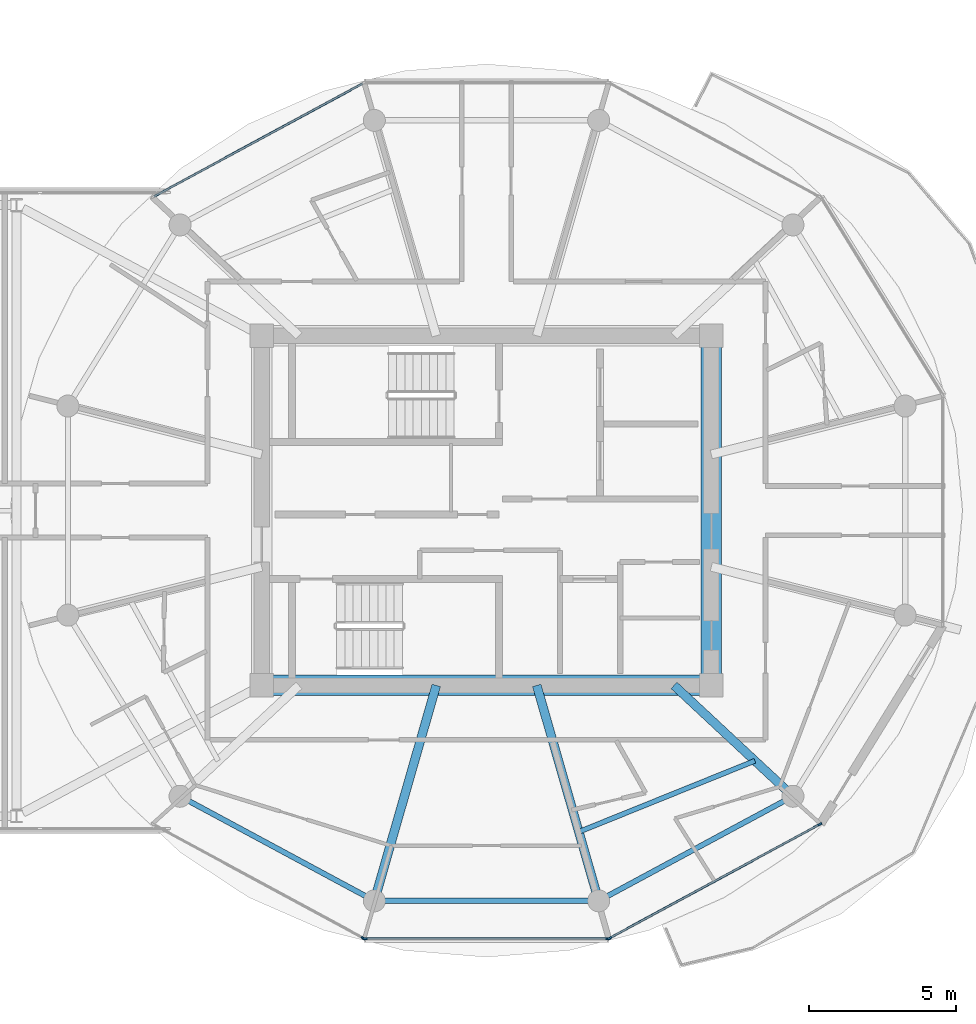
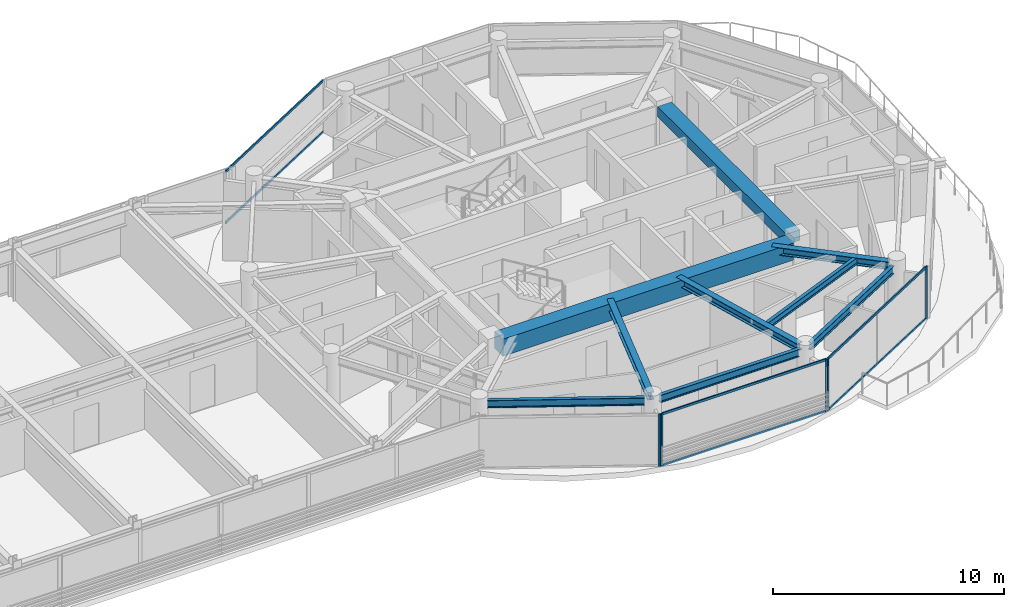
# One storey, part 9 of 23: 11 members, 9 beams, 4 elements without a shape of their own.
"""IFC4 building model written with IfcOpenShell, lengths in metres."""

from ifc_helpers import new_model, si_unit, direction, frame, origin, origin_2d, place, context, subcontext, project, spatial, rectangle, i_section, extrude, source, transform, mapped, material, layer, layer_set, material_profile, profile_set, type_object, type_shapes, element, aggregate, save


model = new_model("IFC4")

# Units and contexts
model_context = context("Model", 3, precision=1e-05, world=origin(), true_north=direction((0.0, 1.0)))
body_context = subcontext(model_context, "Body", "Model", "MODEL_VIEW")
ifc_project = project(units=[si_unit("LENGTHUNIT", "METRE"), si_unit("AREAUNIT", "SQUARE_METRE"), si_unit("VOLUMEUNIT", "CUBIC_METRE"), si_unit("PLANEANGLEUNIT", "RADIAN"), si_unit("MASSUNIT", "GRAM", prefix="KILO")], contexts=[model_context])

# Site, building, storey
site_placement = place(None, origin())
site = spatial("IfcSite", under=ifc_project, at=site_placement, CompositionType="ELEMENT")
building_placement = place(site_placement, origin())
building = spatial("IfcBuilding", under=site, at=building_placement, Name="Norrkilde Senior Care Towers", CompositionType="ELEMENT")
storey_placement = place(building_placement, frame((0.0, 0.0, 207.800048828125)))
storey = spatial("IfcBuildingStorey", under=building, at=storey_placement, Name="L64", CompositionType="ELEMENT", Elevation=207.800048828125)

# Beams
ifc_material_1 = material(Name="Concrete C60/75", Category="concrete")
ifc_material_profile_1 = material_profile(ifc_material_1, rectangle(XDim=0.699951171875, YDim=0.89990234375, at=origin_2d()), Name="RC BM 700x900")
ifc_profile_set_1 = profile_set([ifc_material_profile_1], Name="Concrete C60/75")
beam_type_1 = type_object("IfcBeamType", Name="Core Coupling Girder 700x900", PredefinedType="USERDEFINED", material=ifc_profile_set_1)
shared_shape_1 = source(origin(), body_context, "Body", "SweptSolid", [
    extrude(rectangle(XDim=0.699951171875, YDim=0.89990234375, at=origin_2d()), origin(), (0.0, 0.0, 1.0), 14.5400390625),
])
type_shapes(beam_type_1, [shared_shape_1])
beam_1_placement = place(storey_placement, frame((20.72998046875, -5.949951171875, 2.31005859375), z_axis=(1.0, 0.0, 0.0), x_axis=(0.0, 1.0, 0.0)))
element("IfcBeam", 1, at=beam_1_placement, inside=storey, type_object=beam_type_1, Name="L64 Core E S Coupling Girder", ObjectType="GIRDER", PredefinedType="USERDEFINED", context=body_context, shape_type="MappedRepresentation", body=[
    mapped(shared_shape_1, transform((0.0, 0.0, 0.0), x_axis=(1.0, 0.0, 0.0), y_axis=(0.0, 1.0, 0.0), z_axis=(0.0, 0.0, 1.0), scale=1.0)),
])
ifc_material_profile_2 = material_profile(ifc_material_1, rectangle(XDim=0.699951171875, YDim=0.550048828125, at=origin_2d()), Name="RC BM 700x550")
ifc_profile_set_2 = profile_set([ifc_material_profile_2], Name="Concrete C60/75")
beam_type_2 = type_object("IfcBeamType", Name="Core Portal Coupling Beam 700x550", PredefinedType="USERDEFINED", material=ifc_profile_set_2)
shared_shape_2 = source(origin(), body_context, "Body", "SweptSolid", [
    extrude(rectangle(XDim=0.699951171875, YDim=0.550048828125, at=origin_2d()), origin(), (0.0, 0.0, 1.0), 11.14013671875),
])
type_shapes(beam_type_2, [shared_shape_2])
beam_2_placement = place(storey_placement, frame((35.64990234375, -5.570068359375, 2.48486328125), z_axis=(0.0, 1.0, 0.0), x_axis=(-1.0, 0.0, 0.0)))
element("IfcBeam", 2, at=beam_2_placement, inside=storey, type_object=beam_type_2, Name="L64 Core E E Coupling Girder", ObjectType="GIRDER", PredefinedType="USERDEFINED", context=body_context, shape_type="MappedRepresentation", body=[
    mapped(shared_shape_2, transform((0.0, 0.0, 0.0), x_axis=(1.0, 0.0, 0.0), y_axis=(0.0, 1.0, 0.0), z_axis=(0.0, 0.0, 1.0), scale=1.0)),
])
ifc_material_2 = material(Name="Steel S355", Category="steel")
ifc_material_profile_3 = material_profile(ifc_material_2, i_section(OverallWidth=0.179931640625, OverallDepth=0.39990234375, WebThickness=0.008544921875, FlangeThickness=0.013427734375, FilletRadius=0.02099609375, at=origin_2d()), Name="IPE 400")
ifc_profile_set_3 = profile_set([ifc_material_profile_3], Name="Steel S355")
beam_type_3 = type_object("IfcBeamType", Name="Perimeter Ring Spandrel Z4 IPE400", PredefinedType="SPANDREL", material=ifc_profile_set_3)
shared_shape_3 = source(origin(), body_context, "Body", "SweptSolid", [
    extrude(i_section(OverallWidth=0.179931640625, OverallDepth=0.39990234375, WebThickness=0.008544921875, FlangeThickness=0.013427734375, FilletRadius=0.02099609375, at=origin_2d()), origin(), (0.0, 0.0, 1.0), 6.839111328125),
])
for number, where, z_axis, x_axis, name in (
    (3, (17.865234375, -9.881591796875, 2.56005859375), (0.880563930732, -0.473927382511, 0.0), (0.473927382511, 0.880563930732, 0.0), "L64 Drum E Perimeter Spandrel 08"),
    (4, (32.112548828125, -13.122802734375, 2.56005859375), (0.880563930732, 0.473927382511, 0.0), (-0.473927382511, 0.880563930732, 0.0), "L64 Drum E Perimeter Spandrel 10"),
):
    element("IfcBeam", number, at=place(storey_placement, frame(where, z_axis=z_axis, x_axis=x_axis)), inside=storey, type_object=beam_type_3, Name=name, PredefinedType="SPANDREL", context=body_context, shape_type="MappedRepresentation", body=[
        mapped(shared_shape_3, transform((0.0, 0.0, 0.0), x_axis=(1.0, 0.0, 0.0), y_axis=(0.0, 1.0, 0.0), z_axis=(0.0, 0.0, 1.0), scale=1.0)),
    ])
ifc_material_profile_4 = material_profile(ifc_material_2, i_section(OverallWidth=0.300048828125, OverallDepth=0.39990234375, WebThickness=0.013427734375, FlangeThickness=0.02392578125, FilletRadius=0.027099609375, at=origin_2d()), Name="HEB 400")
ifc_profile_set_4 = profile_set([ifc_material_profile_4], Name="Steel S355")
beam_type_4 = type_object("IfcBeamType", Name="Radial Floor Beam Z4 HEB400", PredefinedType="BEAM", material=ifc_profile_set_4)
shared_shape_4 = source(origin(), body_context, "Body", "SweptSolid", [
    extrude(i_section(OverallWidth=0.300048828125, OverallDepth=0.39990234375, WebThickness=0.013427734375, FlangeThickness=0.02392578125, FilletRadius=0.027099609375, at=origin_2d()), origin(), (0.0, 0.0, 1.0), 5.197998046875),
])
beam_3_placement = place(storey_placement, frame((34.3828125, -5.949951171875, 2.56005859375), z_axis=(0.731448749334, -0.681896419625, 0.0), x_axis=(0.681896419625, 0.731448749334, 0.0)))
element("IfcBeam", 5, at=beam_3_placement, inside=storey, type_object=beam_type_4, Name="L64 Drum E Radial Floor Beam 11", PredefinedType="BEAM", context=body_context, shape_type="MappedRepresentation", body=[
    mapped(shared_shape_4, transform((0.0, 0.0, 0.0), x_axis=(1.0, 0.0, 0.0), y_axis=(0.0, 1.0, 0.0), z_axis=(0.0, 0.0, 1.0), scale=1.0)),
])
shared_shape_5 = source(origin(), body_context, "Body", "SweptSolid", [
    extrude(i_section(OverallWidth=0.179931640625, OverallDepth=0.39990234375, WebThickness=0.008544921875, FlangeThickness=0.013427734375, FilletRadius=0.02099609375, at=origin_2d()), origin(), (0.0, 0.0, 1.0), 6.96533203125),
])
type_shapes(beam_type_3, [shared_shape_3, shared_shape_5])
beam_4_placement = place(storey_placement, frame((24.517333984375, -13.281494140625, 2.56005859375), z_axis=(1.0, 0.0, 0.0), x_axis=(0.0, 1.0, 0.0)))
element("IfcBeam", 6, at=beam_4_placement, inside=storey, type_object=beam_type_3, Name="L64 Drum E Perimeter Spandrel 09", PredefinedType="SPANDREL", context=body_context, shape_type="MappedRepresentation", body=[
    mapped(shared_shape_5, transform((0.0, 0.0, 0.0), x_axis=(1.0, 0.0, 0.0), y_axis=(0.0, 1.0, 0.0), z_axis=(0.0, 0.0, 1.0), scale=1.0)),
])
shared_shape_6 = source(origin(), body_context, "Body", "SweptSolid", [
    extrude(i_section(OverallWidth=0.300048828125, OverallDepth=0.39990234375, WebThickness=0.013427734375, FlangeThickness=0.02392578125, FilletRadius=0.027099609375, at=origin_2d()), origin(), (0.0, 0.0, 1.0), 7.29345703125),
])
type_shapes(beam_type_4, [shared_shape_4, shared_shape_6])
for number, where, z_axis, x_axis, name in (
    (7, (26.289794921875, -5.949951171875, 2.56005859375), (-0.276263751906, -0.961081858836, 0.0), (0.961081858836, -0.276263751906, 0.0), "L64 Drum E Radial Floor Beam 09"),
    (8, (29.710205078125, -5.949951171875, 2.56005859375), (0.276263751906, -0.961081858836, 0.0), (0.961081858836, 0.276263751906, 0.0), "L64 Drum E Radial Floor Beam 10"),
):
    element("IfcBeam", number, at=place(storey_placement, frame(where, z_axis=z_axis, x_axis=x_axis)), inside=storey, type_object=beam_type_4, Name=name, PredefinedType="BEAM", context=body_context, shape_type="MappedRepresentation", body=[
        mapped(shared_shape_6, transform((0.0, 0.0, 0.0), x_axis=(1.0, 0.0, 0.0), y_axis=(0.0, 1.0, 0.0), z_axis=(0.0, 0.0, 1.0), scale=1.0)),
    ])
ifc_material_profile_5 = material_profile(ifc_material_2, i_section(OverallWidth=0.169921875, OverallDepth=0.360107421875, WebThickness=0.008056640625, FlangeThickness=0.0126953125, FilletRadius=0.01806640625, at=origin_2d()), Name="IPE 360")
ifc_profile_set_5 = profile_set([ifc_material_profile_5], Name="Steel S355")
beam_type_5 = type_object("IfcBeamType", Name="Secondary Floor Joist IPE360", PredefinedType="JOIST", material=ifc_profile_set_5)
shared_shape_7 = source(origin(), body_context, "Body", "SweptSolid", [
    extrude(i_section(OverallWidth=0.169921875, OverallDepth=0.360107421875, WebThickness=0.008056640625, FlangeThickness=0.0126953125, FilletRadius=0.01806640625, at=origin_2d()), origin(), (0.0, 0.0, 1.0), 6.461669921875),
])
type_shapes(beam_type_5, [shared_shape_7])
beam_5_placement = place(storey_placement, frame((31.143310546875, -10.935302734375, 2.579833984375), z_axis=(0.927225942298, 0.374502405772, 0.0), x_axis=(-0.374502405772, 0.927225942298, 0.0)))
element("IfcBeam", 9, at=beam_5_placement, inside=storey, type_object=beam_type_5, Name="L64 Drum E Secondary Floor Joist 4", PredefinedType="JOIST", context=body_context, shape_type="MappedRepresentation", body=[
    mapped(shared_shape_7, transform((0.0, 0.0, 0.0), x_axis=(1.0, 0.0, 0.0), y_axis=(0.0, 1.0, 0.0), z_axis=(0.0, 0.0, 1.0), scale=1.0)),
])

# Curtain wall, members
ifc_material_3 = material(Name="Triple Low-E Insulated Glazing", Category="glass")
ifc_layer = layer(ifc_material_3, 0.18505859375)
ifc_layer_set = layer_set([ifc_layer], Name="Triple Low-E Insulated Glazing")
curtain_wall_type = type_object("IfcCurtainWallType", Name="CW6 Zone 4 Crown Pavilion Curtain Wall", PredefinedType="NOTDEFINED", material=ifc_layer_set)
curtain_wall_1_placement = place(storey_placement, origin())
curtain_wall_1 = element("IfcCurtainWall", 10, at=curtain_wall_1_placement, inside=storey, type_object=curtain_wall_type, Name="L64 Drum E Curtain Wall 08", PredefinedType="NOTDEFINED")
ifc_material_4 = material(Name="Anodised Aluminium", Category="aluminium")
ifc_material_profile_6 = material_profile(ifc_material_4, rectangle(XDim=0.06005859375, YDim=0.1201171875, at=origin_2d()), Name="ALU TRAN 60x120")
ifc_profile_set_6 = profile_set([ifc_material_profile_6], Name="Anodised Aluminium")
member_type_1 = type_object("IfcMemberType", Name="Curtain Wall Transom Typical 60x120", PredefinedType="USERDEFINED", material=ifc_profile_set_6)
shared_shape_8 = source(origin(), body_context, "Body", "SweptSolid", [
    extrude(rectangle(XDim=0.06005859375, YDim=0.1201171875, at=origin_2d()), origin(), (0.0, 0.0, 1.0), 8.19384765625),
])
member_1_placement = place(storey_placement, frame((32.096923828125, -14.566162109375, 0.030029296875), z_axis=(-1.0, 0.0, 0.0), x_axis=(0.0, -1.0, 0.0)))
member_1 = element("IfcMember", 11, at=member_1_placement, type_object=member_type_1, Name="CW-6 transom 1.1", ObjectType="TRANSOM", PredefinedType="USERDEFINED", context=body_context, shape_type="MappedRepresentation", body=[
    mapped(shared_shape_8, transform((0.0, 0.0, 0.0), x_axis=(1.0, 0.0, 0.0), y_axis=(0.0, 1.0, 0.0), z_axis=(0.0, 0.0, 1.0), scale=1.0)),
])
member_2_placement = place(storey_placement, frame((32.096923828125, -14.566162109375, 2.72998046875), z_axis=(-1.0, 0.0, 0.0), x_axis=(0.0, -1.0, 0.0)))
member_2 = element("IfcMember", 12, at=member_2_placement, type_object=member_type_1, Name="CW-6 transom 1.2", ObjectType="TRANSOM", PredefinedType="USERDEFINED", context=body_context, shape_type="MappedRepresentation", body=[
    mapped(shared_shape_8, transform((0.0, 0.0, 0.0), x_axis=(1.0, 0.0, 0.0), y_axis=(0.0, 1.0, 0.0), z_axis=(0.0, 0.0, 1.0), scale=1.0)),
])

curtain_wall_2_placement = place(storey_placement, origin())
curtain_wall_2 = element("IfcCurtainWall", 13, at=curtain_wall_2_placement, inside=storey, type_object=curtain_wall_type, Name="L64 Drum E Curtain Wall 03", PredefinedType="NOTDEFINED")
shared_shape_9 = source(origin(), body_context, "Body", "SweptSolid", [
    extrude(rectangle(XDim=0.06005859375, YDim=0.1201171875, at=origin_2d()), origin(), (0.0, 0.0, 1.0), 8.0673828125),
])
type_shapes(member_type_1, [shared_shape_8, shared_shape_9])
member_3_placement = place(storey_placement, frame((16.686767578125, 10.694091796875, 0.030029296875), z_axis=(0.87937750072, 0.476125205411, 0.0), x_axis=(-0.476125205411, 0.87937750072, 0.0)))
member_3 = element("IfcMember", 14, at=member_3_placement, type_object=member_type_1, Name="CW-6 transom 1.1", ObjectType="TRANSOM", PredefinedType="USERDEFINED", context=body_context, shape_type="MappedRepresentation", body=[
    mapped(shared_shape_9, transform((0.0, 0.0, 0.0), x_axis=(1.0, 0.0, 0.0), y_axis=(0.0, 1.0, 0.0), z_axis=(0.0, 0.0, 1.0), scale=1.0)),
])
member_4_placement = place(storey_placement, frame((16.686767578125, 10.694091796875, 2.72998046875), z_axis=(0.87937750072, 0.476125205411, 0.0), x_axis=(-0.476125205411, 0.87937750072, 0.0)))
member_4 = element("IfcMember", 15, at=member_4_placement, type_object=member_type_1, Name="CW-6 transom 1.2", ObjectType="TRANSOM", PredefinedType="USERDEFINED", context=body_context, shape_type="MappedRepresentation", body=[
    mapped(shared_shape_9, transform((0.0, 0.0, 0.0), x_axis=(1.0, 0.0, 0.0), y_axis=(0.0, 1.0, 0.0), z_axis=(0.0, 0.0, 1.0), scale=1.0)),
])
aggregate(curtain_wall_2, [member_3, member_4])

curtain_wall_3_placement = place(storey_placement, origin())
curtain_wall_3 = element("IfcCurtainWall", 16, at=curtain_wall_3_placement, inside=storey, type_object=curtain_wall_type, Name="L64 Drum E Curtain Wall 09", PredefinedType="NOTDEFINED")
member_5_placement = place(storey_placement, frame((39.313232421875, -10.694091796875, 0.030029296875), z_axis=(-0.87937750072, -0.476125205411, 0.0), x_axis=(0.476125205411, -0.87937750072, 0.0)))
member_5 = element("IfcMember", 17, at=member_5_placement, type_object=member_type_1, Name="CW-6 transom 1.1", ObjectType="TRANSOM", PredefinedType="USERDEFINED", context=body_context, shape_type="MappedRepresentation", body=[
    mapped(shared_shape_9, transform((0.0, 0.0, 0.0), x_axis=(1.0, 0.0, 0.0), y_axis=(0.0, 1.0, 0.0), z_axis=(0.0, 0.0, 1.0), scale=1.0)),
])
member_6_placement = place(storey_placement, frame((39.313232421875, -10.694091796875, 2.72998046875), z_axis=(-0.87937750072, -0.476125205411, 0.0), x_axis=(0.476125205411, -0.87937750072, 0.0)))
member_6 = element("IfcMember", 18, at=member_6_placement, type_object=member_type_1, Name="CW-6 transom 1.2", ObjectType="TRANSOM", PredefinedType="USERDEFINED", context=body_context, shape_type="MappedRepresentation", body=[
    mapped(shared_shape_9, transform((0.0, 0.0, 0.0), x_axis=(1.0, 0.0, 0.0), y_axis=(0.0, 1.0, 0.0), z_axis=(0.0, 0.0, 1.0), scale=1.0)),
])

# Curtain wall, member
curtain_wall_4_placement = place(storey_placement, origin())
curtain_wall_4 = element("IfcCurtainWall", 19, at=curtain_wall_4_placement, inside=storey, type_object=curtain_wall_type, Name="L64 Drum E Curtain Wall 07", PredefinedType="NOTDEFINED")
ifc_material_profile_7 = material_profile(ifc_material_4, rectangle(XDim=0.06494140625, YDim=0.14990234375, at=origin_2d()), Name="ALU MULL 65x150")
ifc_profile_set_7 = profile_set([ifc_material_profile_7], Name="Anodised Aluminium")
member_type_2 = type_object("IfcMemberType", Name="Curtain Wall Mullion Z3-Z4 65x150", PredefinedType="MULLION", material=ifc_profile_set_7)
shared_shape_10 = source(origin(), body_context, "Body", "SweptSolid", [
    extrude(rectangle(XDim=0.06494140625, YDim=0.14990234375, at=origin_2d()), origin(), (0.0, 0.0, 1.0), 2.760009765625),
])
type_shapes(member_type_2, [shared_shape_10])
member_7_placement = place(storey_placement, frame((23.8095703125, -14.55078125, 0.0), z_axis=(0.0, 0.0, 1.0), x_axis=(-0.476132676136, -0.879373455772, 0.0)))
member_7 = element("IfcMember", 20, at=member_7_placement, type_object=member_type_2, Name="CW-6 mullion 1", PredefinedType="MULLION", context=body_context, shape_type="MappedRepresentation", body=[
    mapped(shared_shape_10, transform((0.0, 0.0, 0.0), x_axis=(1.0, 0.0, 0.0), y_axis=(0.0, 1.0, 0.0), z_axis=(0.0, 0.0, 1.0), scale=1.0)),
])
aggregate(curtain_wall_4, [member_7])

# Member
member_8_placement = place(storey_placement, frame((32.12939453125, -14.566162109375, 0.0), z_axis=(0.0, 0.0, 1.0), x_axis=(0.0, -1.0, 0.0)))
member_8 = element("IfcMember", 21, at=member_8_placement, type_object=member_type_2, Name="CW-6 mullion 1", PredefinedType="MULLION", context=body_context, shape_type="MappedRepresentation", body=[
    mapped(shared_shape_10, transform((0.0, 0.0, 0.0), x_axis=(1.0, 0.0, 0.0), y_axis=(0.0, 1.0, 0.0), z_axis=(0.0, 0.0, 1.0), scale=1.0)),
])

member_9_placement = place(storey_placement, frame((23.87060546875, -14.566162109375, 0.0), z_axis=(0.0, 0.0, 1.0), x_axis=(0.0, -1.0, 0.0)))
member_9 = element("IfcMember", 22, at=member_9_placement, type_object=member_type_2, Name="CW-6 mullion 2", PredefinedType="MULLION", context=body_context, shape_type="MappedRepresentation", body=[
    mapped(shared_shape_10, transform((0.0, 0.0, 0.0), x_axis=(1.0, 0.0, 0.0), y_axis=(0.0, 1.0, 0.0), z_axis=(0.0, 0.0, 1.0), scale=1.0)),
])

aggregate(curtain_wall_1, [member_8, member_9, member_1, member_2])

member_10_placement = place(storey_placement, frame((39.341796875, -10.6787109375, 0.0), z_axis=(0.0, 0.0, 1.0), x_axis=(0.476132676136, -0.879373455772, 0.0)))
member_10 = element("IfcMember", 23, at=member_10_placement, type_object=member_type_2, Name="CW-6 mullion 1", PredefinedType="MULLION", context=body_context, shape_type="MappedRepresentation", body=[
    mapped(shared_shape_10, transform((0.0, 0.0, 0.0), x_axis=(1.0, 0.0, 0.0), y_axis=(0.0, 1.0, 0.0), z_axis=(0.0, 0.0, 1.0), scale=1.0)),
])

member_11_placement = place(storey_placement, frame((32.1904296875, -14.55078125, 0.0), z_axis=(0.0, 0.0, 1.0), x_axis=(0.476132676136, -0.879373455772, 0.0)))
member_11 = element("IfcMember", 24, at=member_11_placement, type_object=member_type_2, Name="CW-6 mullion 2", PredefinedType="MULLION", context=body_context, shape_type="MappedRepresentation", body=[
    mapped(shared_shape_10, transform((0.0, 0.0, 0.0), x_axis=(1.0, 0.0, 0.0), y_axis=(0.0, 1.0, 0.0), z_axis=(0.0, 0.0, 1.0), scale=1.0)),
])

aggregate(curtain_wall_3, [member_10, member_11, member_5, member_6])

save(model, "model.ifc")
